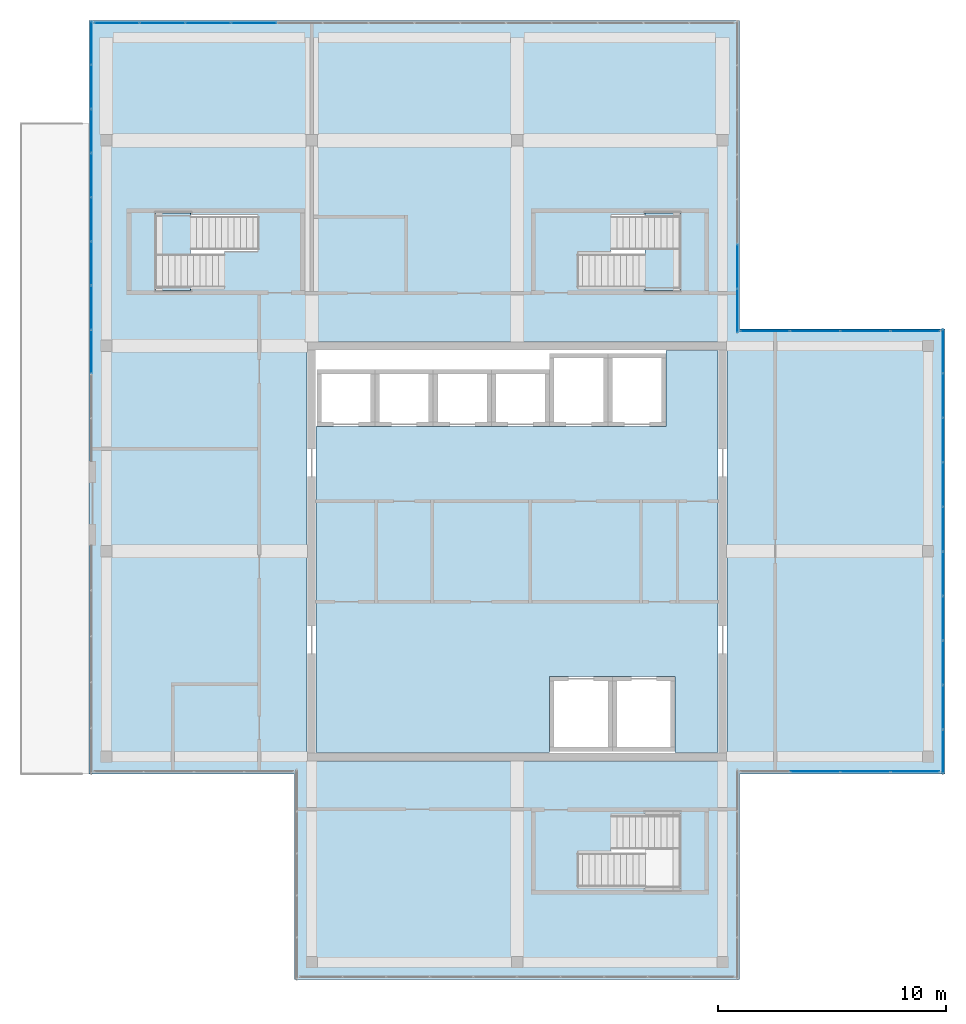
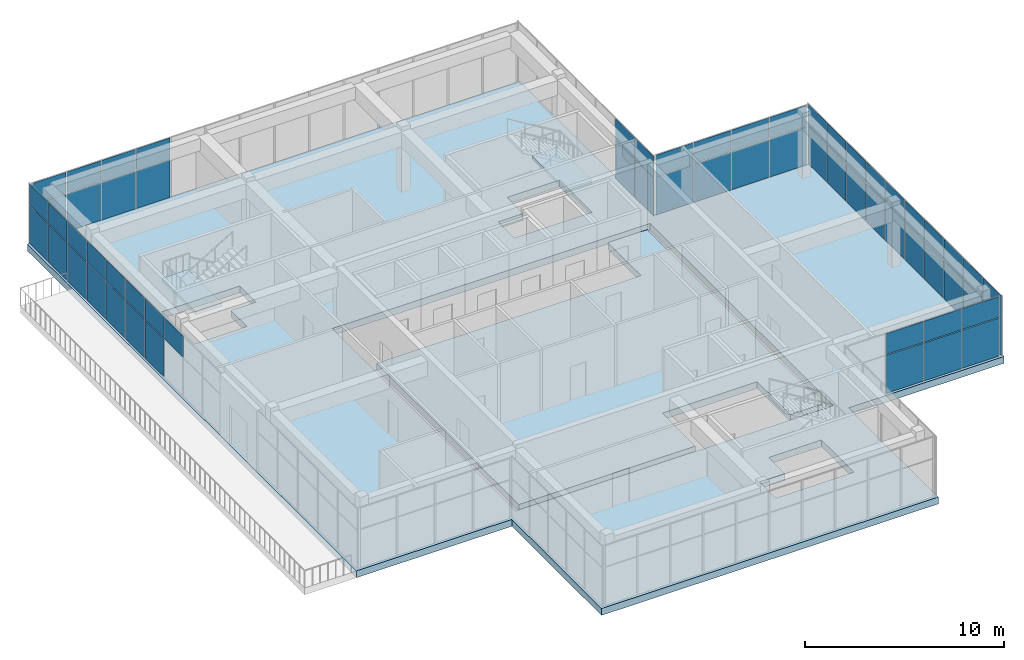
# One storey, part 29 of 34: 61 plates, 4 slabs, 8 elements without a shape of their own.
"""IFC4 building model written with IfcOpenShell, lengths in metres."""

from ifc_helpers import new_model, si_unit, direction, frame, origin, origin_2d, place, context, subcontext, project, spatial, polyline, rectangle, outline, extrude, material, layer, layer_set, type_object, element, aggregate, save


model = new_model("IFC4")

# Units and contexts
model_context = context("Model", 3, precision=1e-05, world=origin(), true_north=direction((0.0, 1.0)))
body_context = subcontext(model_context, "Body", "Model", "MODEL_VIEW")
ifc_project = project(units=[si_unit("LENGTHUNIT", "METRE"), si_unit("AREAUNIT", "SQUARE_METRE"), si_unit("VOLUMEUNIT", "CUBIC_METRE"), si_unit("PLANEANGLEUNIT", "RADIAN"), si_unit("MASSUNIT", "GRAM", prefix="KILO")], contexts=[model_context])

# Site, building, storey
site_placement = place(None, origin())
site = spatial("IfcSite", under=ifc_project, at=site_placement, CompositionType="ELEMENT")
building_placement = place(site_placement, origin())
building = spatial("IfcBuilding", under=site, at=building_placement, Name="Tuart Plaza Theatre", CompositionType="ELEMENT")
storey_placement = place(building_placement, frame((0.0, 0.0, 53.5)))
storey = spatial("IfcBuildingStorey", under=building, at=storey_placement, Name="L13", CompositionType="ELEMENT", Elevation=53.5)

# Curtain wall, plates
ifc_material_1 = material(Name="Aluminium and glass", Category="aluminium")
ifc_layer_1 = layer(ifc_material_1, 0.10009765625)
ifc_layer_set_1 = layer_set([ifc_layer_1], Name="CURTAIN WALL 2000 module")
curtain_wall_type = type_object("IfcCurtainWallType", Name="CURTAIN WALL 2000 module", PredefinedType="NOTDEFINED", material=ifc_layer_set_1)
curtain_wall_1_placement = place(storey_placement, origin())
curtain_wall_1 = element("IfcCurtainWall", 1, at=curtain_wall_1_placement, inside=storey, type_object=curtain_wall_type, Name="CW113", PredefinedType="NOTDEFINED")
ifc_material_2 = material(Name="Glass", Category="glass")
ifc_layer_2 = layer(ifc_material_2, 0.028076171875)
ifc_layer_set_2 = layer_set([ifc_layer_2], Name="CURTAIN PANEL double glazed 28")
plate_type = type_object("IfcPlateType", Name="CURTAIN PANEL double glazed 28", PredefinedType="CURTAIN_PANEL", material=ifc_layer_set_2)
plate_1_placement = place(storey_placement, frame((145.050048828125, 64.35009765625, 0.0498046875), z_axis=(0.0, 0.0, 1.0), x_axis=(1.0, 0.0, 0.0)))
plate_1 = element("IfcPlate", 2, at=plate_1_placement, type_object=plate_type, Name="CW113 panel 2.1", PredefinedType="CURTAIN_PANEL", context=body_context, shape_type="SweptSolid", body=[
    extrude(rectangle(XDim=2.14990234375, YDim=0.028076171875, at=origin_2d()), origin(), (0.0, 0.0, 1.0), 2.324951171875),
])
plate_2_placement = place(storey_placement, frame((145.050048828125, 64.35009765625, 2.425048828125), z_axis=(0.0, 0.0, 1.0), x_axis=(1.0, 0.0, 0.0)))
plate_2 = element("IfcPlate", 3, at=plate_2_placement, type_object=plate_type, Name="CW113 panel 2.2", PredefinedType="CURTAIN_PANEL", context=body_context, shape_type="SweptSolid", body=[
    extrude(rectangle(XDim=2.14990234375, YDim=0.028076171875, at=origin_2d()), origin(), (0.0, 0.0, 1.0), 1.27490234375),
])
plate_3_placement = place(storey_placement, frame((147.25, 64.35009765625, 0.0498046875), z_axis=(0.0, 0.0, 1.0), x_axis=(1.0, 0.0, 0.0)))
plate_3 = element("IfcPlate", 4, at=plate_3_placement, type_object=plate_type, Name="CW113 panel 3.1", PredefinedType="CURTAIN_PANEL", context=body_context, shape_type="SweptSolid", body=[
    extrude(rectangle(XDim=2.14990234375, YDim=0.028076171875, at=origin_2d()), origin(), (0.0, 0.0, 1.0), 2.324951171875),
])
plate_4_placement = place(storey_placement, frame((147.25, 64.35009765625, 2.425048828125), z_axis=(0.0, 0.0, 1.0), x_axis=(1.0, 0.0, 0.0)))
plate_4 = element("IfcPlate", 5, at=plate_4_placement, type_object=plate_type, Name="CW113 panel 3.2", PredefinedType="CURTAIN_PANEL", context=body_context, shape_type="SweptSolid", body=[
    extrude(rectangle(XDim=2.14990234375, YDim=0.028076171875, at=origin_2d()), origin(), (0.0, 0.0, 1.0), 1.27490234375),
])
plate_5_placement = place(storey_placement, frame((149.4375, 64.35009765625, 0.0498046875), z_axis=(0.0, 0.0, 1.0), x_axis=(1.0, 0.0, 0.0)))
plate_5 = element("IfcPlate", 6, at=plate_5_placement, type_object=plate_type, Name="CW113 panel 4.1", PredefinedType="CURTAIN_PANEL", context=body_context, shape_type="SweptSolid", body=[
    extrude(rectangle(XDim=2.125, YDim=0.028076171875, at=origin_2d()), origin(), (0.0, 0.0, 1.0), 2.324951171875),
])
plate_6_placement = place(storey_placement, frame((149.4375, 64.35009765625, 2.425048828125), z_axis=(0.0, 0.0, 1.0), x_axis=(1.0, 0.0, 0.0)))
plate_6 = element("IfcPlate", 7, at=plate_6_placement, type_object=plate_type, Name="CW113 panel 4.2", PredefinedType="CURTAIN_PANEL", context=body_context, shape_type="SweptSolid", body=[
    extrude(rectangle(XDim=2.125, YDim=0.028076171875, at=origin_2d()), origin(), (0.0, 0.0, 1.0), 1.27490234375),
])
aggregate(curtain_wall_1, [plate_1, plate_2, plate_3, plate_4, plate_5, plate_6])

curtain_wall_2_placement = place(storey_placement, origin())
curtain_wall_2 = element("IfcCurtainWall", 8, at=curtain_wall_2_placement, inside=storey, type_object=curtain_wall_type, Name="CW114", PredefinedType="NOTDEFINED")
plate_7_placement = place(storey_placement, frame((150.64990234375, 65.237548828125, 0.0498046875), z_axis=(0.0, 0.0, 1.0), x_axis=(0.0, 1.0, 0.0)))
plate_7 = element("IfcPlate", 9, at=plate_7_placement, type_object=plate_type, Name="CW114 panel 1.1", PredefinedType="CURTAIN_PANEL", context=body_context, shape_type="SweptSolid", body=[
    extrude(rectangle(XDim=1.875, YDim=0.028076171875, at=origin_2d()), origin(), (0.0, 0.0, 1.0), 2.324951171875),
])
plate_8_placement = place(storey_placement, frame((150.64990234375, 65.237548828125, 2.425048828125), z_axis=(0.0, 0.0, 1.0), x_axis=(0.0, 1.0, 0.0)))
plate_8 = element("IfcPlate", 10, at=plate_8_placement, type_object=plate_type, Name="CW114 panel 1.2", PredefinedType="CURTAIN_PANEL", context=body_context, shape_type="SweptSolid", body=[
    extrude(rectangle(XDim=1.875, YDim=0.028076171875, at=origin_2d()), origin(), (0.0, 0.0, 1.0), 1.27490234375),
])
plate_9_placement = place(storey_placement, frame((150.64990234375, 67.175048828125, 0.0498046875), z_axis=(0.0, 0.0, 1.0), x_axis=(0.0, 1.0, 0.0)))
plate_9 = element("IfcPlate", 11, at=plate_9_placement, type_object=plate_type, Name="CW114 panel 2.1", PredefinedType="CURTAIN_PANEL", context=body_context, shape_type="SweptSolid", body=[
    extrude(rectangle(XDim=1.89990234375, YDim=0.028076171875, at=origin_2d()), origin(), (0.0, 0.0, 1.0), 2.324951171875),
])
plate_10_placement = place(storey_placement, frame((150.64990234375, 67.175048828125, 2.425048828125), z_axis=(0.0, 0.0, 1.0), x_axis=(0.0, 1.0, 0.0)))
plate_10 = element("IfcPlate", 12, at=plate_10_placement, type_object=plate_type, Name="CW114 panel 2.2", PredefinedType="CURTAIN_PANEL", context=body_context, shape_type="SweptSolid", body=[
    extrude(rectangle(XDim=1.89990234375, YDim=0.028076171875, at=origin_2d()), origin(), (0.0, 0.0, 1.0), 1.27490234375),
])
plate_11_placement = place(storey_placement, frame((150.64990234375, 69.125, 0.0498046875), z_axis=(0.0, 0.0, 1.0), x_axis=(0.0, 1.0, 0.0)))
plate_11 = element("IfcPlate", 13, at=plate_11_placement, type_object=plate_type, Name="CW114 panel 3.1", PredefinedType="CURTAIN_PANEL", context=body_context, shape_type="SweptSolid", body=[
    extrude(rectangle(XDim=1.89990234375, YDim=0.028076171875, at=origin_2d()), origin(), (0.0, 0.0, 1.0), 2.324951171875),
])
plate_12_placement = place(storey_placement, frame((150.64990234375, 69.125, 2.425048828125), z_axis=(0.0, 0.0, 1.0), x_axis=(0.0, 1.0, 0.0)))
plate_12 = element("IfcPlate", 14, at=plate_12_placement, type_object=plate_type, Name="CW114 panel 3.2", PredefinedType="CURTAIN_PANEL", context=body_context, shape_type="SweptSolid", body=[
    extrude(rectangle(XDim=1.89990234375, YDim=0.028076171875, at=origin_2d()), origin(), (0.0, 0.0, 1.0), 1.27490234375),
])
plate_13_placement = place(storey_placement, frame((150.64990234375, 71.074951171875, 0.0498046875), z_axis=(0.0, 0.0, 1.0), x_axis=(0.0, 1.0, 0.0)))
plate_13 = element("IfcPlate", 15, at=plate_13_placement, type_object=plate_type, Name="CW114 panel 4.1", PredefinedType="CURTAIN_PANEL", context=body_context, shape_type="SweptSolid", body=[
    extrude(rectangle(XDim=1.89990234375, YDim=0.028076171875, at=origin_2d()), origin(), (0.0, 0.0, 1.0), 2.324951171875),
])
plate_14_placement = place(storey_placement, frame((150.64990234375, 71.074951171875, 2.425048828125), z_axis=(0.0, 0.0, 1.0), x_axis=(0.0, 1.0, 0.0)))
plate_14 = element("IfcPlate", 16, at=plate_14_placement, type_object=plate_type, Name="CW114 panel 4.2", PredefinedType="CURTAIN_PANEL", context=body_context, shape_type="SweptSolid", body=[
    extrude(rectangle(XDim=1.89990234375, YDim=0.028076171875, at=origin_2d()), origin(), (0.0, 0.0, 1.0), 1.27490234375),
])
plate_15_placement = place(storey_placement, frame((150.64990234375, 73.02490234375, 0.0498046875), z_axis=(0.0, 0.0, 1.0), x_axis=(0.0, 1.0, 0.0)))
plate_15 = element("IfcPlate", 17, at=plate_15_placement, type_object=plate_type, Name="CW114 panel 5.1", PredefinedType="CURTAIN_PANEL", context=body_context, shape_type="SweptSolid", body=[
    extrude(rectangle(XDim=1.89990234375, YDim=0.028076171875, at=origin_2d()), origin(), (0.0, 0.0, 1.0), 2.324951171875),
])
plate_16_placement = place(storey_placement, frame((150.64990234375, 73.02490234375, 2.425048828125), z_axis=(0.0, 0.0, 1.0), x_axis=(0.0, 1.0, 0.0)))
plate_16 = element("IfcPlate", 18, at=plate_16_placement, type_object=plate_type, Name="CW114 panel 5.2", PredefinedType="CURTAIN_PANEL", context=body_context, shape_type="SweptSolid", body=[
    extrude(rectangle(XDim=1.89990234375, YDim=0.028076171875, at=origin_2d()), origin(), (0.0, 0.0, 1.0), 1.27490234375),
])
plate_17_placement = place(storey_placement, frame((150.64990234375, 74.97509765625, 0.0498046875), z_axis=(0.0, 0.0, 1.0), x_axis=(0.0, 1.0, 0.0)))
plate_17 = element("IfcPlate", 19, at=plate_17_placement, type_object=plate_type, Name="CW114 panel 6.1", PredefinedType="CURTAIN_PANEL", context=body_context, shape_type="SweptSolid", body=[
    extrude(rectangle(XDim=1.89990234375, YDim=0.028076171875, at=origin_2d()), origin(), (0.0, 0.0, 1.0), 2.324951171875),
])
plate_18_placement = place(storey_placement, frame((150.64990234375, 74.97509765625, 2.425048828125), z_axis=(0.0, 0.0, 1.0), x_axis=(0.0, 1.0, 0.0)))
plate_18 = element("IfcPlate", 20, at=plate_18_placement, type_object=plate_type, Name="CW114 panel 6.2", PredefinedType="CURTAIN_PANEL", context=body_context, shape_type="SweptSolid", body=[
    extrude(rectangle(XDim=1.89990234375, YDim=0.028076171875, at=origin_2d()), origin(), (0.0, 0.0, 1.0), 1.27490234375),
])
plate_19_placement = place(storey_placement, frame((150.64990234375, 76.925048828125, 0.0498046875), z_axis=(0.0, 0.0, 1.0), x_axis=(0.0, 1.0, 0.0)))
plate_19 = element("IfcPlate", 21, at=plate_19_placement, type_object=plate_type, Name="CW114 panel 7.1", PredefinedType="CURTAIN_PANEL", context=body_context, shape_type="SweptSolid", body=[
    extrude(rectangle(XDim=1.89990234375, YDim=0.028076171875, at=origin_2d()), origin(), (0.0, 0.0, 1.0), 2.324951171875),
])
plate_20_placement = place(storey_placement, frame((150.64990234375, 76.925048828125, 2.425048828125), z_axis=(0.0, 0.0, 1.0), x_axis=(0.0, 1.0, 0.0)))
plate_20 = element("IfcPlate", 22, at=plate_20_placement, type_object=plate_type, Name="CW114 panel 7.2", PredefinedType="CURTAIN_PANEL", context=body_context, shape_type="SweptSolid", body=[
    extrude(rectangle(XDim=1.89990234375, YDim=0.028076171875, at=origin_2d()), origin(), (0.0, 0.0, 1.0), 1.27490234375),
])
plate_21_placement = place(storey_placement, frame((150.64990234375, 78.875, 0.0498046875), z_axis=(0.0, 0.0, 1.0), x_axis=(0.0, 1.0, 0.0)))
plate_21 = element("IfcPlate", 23, at=plate_21_placement, type_object=plate_type, Name="CW114 panel 8.1", PredefinedType="CURTAIN_PANEL", context=body_context, shape_type="SweptSolid", body=[
    extrude(rectangle(XDim=1.89990234375, YDim=0.028076171875, at=origin_2d()), origin(), (0.0, 0.0, 1.0), 2.324951171875),
])
plate_22_placement = place(storey_placement, frame((150.64990234375, 78.875, 2.425048828125), z_axis=(0.0, 0.0, 1.0), x_axis=(0.0, 1.0, 0.0)))
plate_22 = element("IfcPlate", 24, at=plate_22_placement, type_object=plate_type, Name="CW114 panel 8.2", PredefinedType="CURTAIN_PANEL", context=body_context, shape_type="SweptSolid", body=[
    extrude(rectangle(XDim=1.89990234375, YDim=0.028076171875, at=origin_2d()), origin(), (0.0, 0.0, 1.0), 1.27490234375),
])
plate_23_placement = place(storey_placement, frame((150.64990234375, 80.824951171875, 0.0498046875), z_axis=(0.0, 0.0, 1.0), x_axis=(0.0, 1.0, 0.0)))
plate_23 = element("IfcPlate", 25, at=plate_23_placement, type_object=plate_type, Name="CW114 panel 9.1", PredefinedType="CURTAIN_PANEL", context=body_context, shape_type="SweptSolid", body=[
    extrude(rectangle(XDim=1.89990234375, YDim=0.028076171875, at=origin_2d()), origin(), (0.0, 0.0, 1.0), 2.324951171875),
])
plate_24_placement = place(storey_placement, frame((150.64990234375, 80.824951171875, 2.425048828125), z_axis=(0.0, 0.0, 1.0), x_axis=(0.0, 1.0, 0.0)))
plate_24 = element("IfcPlate", 26, at=plate_24_placement, type_object=plate_type, Name="CW114 panel 9.2", PredefinedType="CURTAIN_PANEL", context=body_context, shape_type="SweptSolid", body=[
    extrude(rectangle(XDim=1.89990234375, YDim=0.028076171875, at=origin_2d()), origin(), (0.0, 0.0, 1.0), 1.27490234375),
])
plate_25_placement = place(storey_placement, frame((150.64990234375, 82.762451171875, 0.0498046875), z_axis=(0.0, 0.0, 1.0), x_axis=(0.0, 1.0, 0.0)))
plate_25 = element("IfcPlate", 27, at=plate_25_placement, type_object=plate_type, Name="CW114 panel 10.1", PredefinedType="CURTAIN_PANEL", context=body_context, shape_type="SweptSolid", body=[
    extrude(rectangle(XDim=1.875, YDim=0.028076171875, at=origin_2d()), origin(), (0.0, 0.0, 1.0), 2.324951171875),
])
plate_26_placement = place(storey_placement, frame((150.64990234375, 82.762451171875, 2.425048828125), z_axis=(0.0, 0.0, 1.0), x_axis=(0.0, 1.0, 0.0)))
plate_26 = element("IfcPlate", 28, at=plate_26_placement, type_object=plate_type, Name="CW114 panel 10.2", PredefinedType="CURTAIN_PANEL", context=body_context, shape_type="SweptSolid", body=[
    extrude(rectangle(XDim=1.875, YDim=0.028076171875, at=origin_2d()), origin(), (0.0, 0.0, 1.0), 1.27490234375),
])
aggregate(curtain_wall_2, [plate_7, plate_8, plate_9, plate_10, plate_11, plate_12, plate_13, plate_14, plate_15, plate_16, plate_17, plate_18, plate_19, plate_20, plate_21, plate_22, plate_23, plate_24, plate_25, plate_26])

curtain_wall_3_placement = place(storey_placement, origin())
curtain_wall_3 = element("IfcCurtainWall", 29, at=curtain_wall_3_placement, inside=storey, type_object=curtain_wall_type, Name="CW115", PredefinedType="NOTDEFINED")
plate_27_placement = place(storey_placement, frame((149.4375, 83.64990234375, 0.0498046875), z_axis=(0.0, 0.0, 1.0), x_axis=(-1.0, 0.0, 0.0)))
plate_27 = element("IfcPlate", 30, at=plate_27_placement, type_object=plate_type, Name="CW115 panel 1.1", PredefinedType="CURTAIN_PANEL", context=body_context, shape_type="SweptSolid", body=[
    extrude(rectangle(XDim=2.125, YDim=0.028076171875, at=origin_2d()), origin(), (0.0, 0.0, 1.0), 2.324951171875),
])
plate_28_placement = place(storey_placement, frame((149.4375, 83.64990234375, 2.425048828125), z_axis=(0.0, 0.0, 1.0), x_axis=(-1.0, 0.0, 0.0)))
plate_28 = element("IfcPlate", 31, at=plate_28_placement, type_object=plate_type, Name="CW115 panel 1.2", PredefinedType="CURTAIN_PANEL", context=body_context, shape_type="SweptSolid", body=[
    extrude(rectangle(XDim=2.125, YDim=0.028076171875, at=origin_2d()), origin(), (0.0, 0.0, 1.0), 1.27490234375),
])
plate_29_placement = place(storey_placement, frame((147.25, 83.64990234375, 0.0498046875), z_axis=(0.0, 0.0, 1.0), x_axis=(-1.0, 0.0, 0.0)))
plate_29 = element("IfcPlate", 32, at=plate_29_placement, type_object=plate_type, Name="CW115 panel 2.1", PredefinedType="CURTAIN_PANEL", context=body_context, shape_type="SweptSolid", body=[
    extrude(rectangle(XDim=2.14990234375, YDim=0.028076171875, at=origin_2d()), origin(), (0.0, 0.0, 1.0), 2.324951171875),
])
plate_30_placement = place(storey_placement, frame((147.25, 83.64990234375, 2.425048828125), z_axis=(0.0, 0.0, 1.0), x_axis=(-1.0, 0.0, 0.0)))
plate_30 = element("IfcPlate", 33, at=plate_30_placement, type_object=plate_type, Name="CW115 panel 2.2", PredefinedType="CURTAIN_PANEL", context=body_context, shape_type="SweptSolid", body=[
    extrude(rectangle(XDim=2.14990234375, YDim=0.028076171875, at=origin_2d()), origin(), (0.0, 0.0, 1.0), 1.27490234375),
])
plate_31_placement = place(storey_placement, frame((145.050048828125, 83.64990234375, 0.0498046875), z_axis=(0.0, 0.0, 1.0), x_axis=(-1.0, 0.0, 0.0)))
plate_31 = element("IfcPlate", 34, at=plate_31_placement, type_object=plate_type, Name="CW115 panel 3.1", PredefinedType="CURTAIN_PANEL", context=body_context, shape_type="SweptSolid", body=[
    extrude(rectangle(XDim=2.14990234375, YDim=0.028076171875, at=origin_2d()), origin(), (0.0, 0.0, 1.0), 2.324951171875),
])
plate_32_placement = place(storey_placement, frame((145.050048828125, 83.64990234375, 2.425048828125), z_axis=(0.0, 0.0, 1.0), x_axis=(-1.0, 0.0, 0.0)))
plate_32 = element("IfcPlate", 35, at=plate_32_placement, type_object=plate_type, Name="CW115 panel 3.2", PredefinedType="CURTAIN_PANEL", context=body_context, shape_type="SweptSolid", body=[
    extrude(rectangle(XDim=2.14990234375, YDim=0.028076171875, at=origin_2d()), origin(), (0.0, 0.0, 1.0), 1.27490234375),
])
plate_33_placement = place(storey_placement, frame((142.862548828125, 83.64990234375, 0.0498046875), z_axis=(0.0, 0.0, 1.0), x_axis=(-1.0, 0.0, 0.0)))
plate_33 = element("IfcPlate", 36, at=plate_33_placement, type_object=plate_type, Name="CW115 panel 4.1", PredefinedType="CURTAIN_PANEL", context=body_context, shape_type="SweptSolid", body=[
    extrude(rectangle(XDim=2.125, YDim=0.028076171875, at=origin_2d()), origin(), (0.0, 0.0, 1.0), 2.324951171875),
])
plate_34_placement = place(storey_placement, frame((142.862548828125, 83.64990234375, 2.425048828125), z_axis=(0.0, 0.0, 1.0), x_axis=(-1.0, 0.0, 0.0)))
plate_34 = element("IfcPlate", 37, at=plate_34_placement, type_object=plate_type, Name="CW115 panel 4.2", PredefinedType="CURTAIN_PANEL", context=body_context, shape_type="SweptSolid", body=[
    extrude(rectangle(XDim=2.125, YDim=0.028076171875, at=origin_2d()), origin(), (0.0, 0.0, 1.0), 1.27490234375),
])
aggregate(curtain_wall_3, [plate_27, plate_28, plate_29, plate_30, plate_31, plate_32, plate_33, plate_34])

curtain_wall_4_placement = place(storey_placement, origin())
curtain_wall_4 = element("IfcCurtainWall", 38, at=curtain_wall_4_placement, inside=storey, type_object=curtain_wall_type, Name="CW116", PredefinedType="NOTDEFINED")
plate_35_placement = place(storey_placement, frame((141.64990234375, 84.541015625, 0.0498046875), z_axis=(0.0, 0.0, 1.0), x_axis=(0.0, 1.0, 0.0)))
plate_35 = element("IfcPlate", 39, at=plate_35_placement, type_object=plate_type, Name="CW116 panel 1.1", PredefinedType="CURTAIN_PANEL", context=body_context, shape_type="SweptSolid", body=[
    extrude(rectangle(XDim=1.882080078125, YDim=0.028076171875, at=origin_2d()), origin(), (0.0, 0.0, 1.0), 2.324951171875),
])
plate_36_placement = place(storey_placement, frame((141.64990234375, 84.541015625, 2.425048828125), z_axis=(0.0, 0.0, 1.0), x_axis=(0.0, 1.0, 0.0)))
plate_36 = element("IfcPlate", 40, at=plate_36_placement, type_object=plate_type, Name="CW116 panel 1.2", PredefinedType="CURTAIN_PANEL", context=body_context, shape_type="SweptSolid", body=[
    extrude(rectangle(XDim=1.882080078125, YDim=0.028076171875, at=origin_2d()), origin(), (0.0, 0.0, 1.0), 1.27490234375),
])
plate_37_placement = place(storey_placement, frame((141.64990234375, 86.485595703125, 0.0498046875), z_axis=(0.0, 0.0, 1.0), x_axis=(0.0, 1.0, 0.0)))
plate_37 = element("IfcPlate", 41, at=plate_37_placement, type_object=plate_type, Name="CW116 panel 2.1", PredefinedType="CURTAIN_PANEL", context=body_context, shape_type="SweptSolid", body=[
    extrude(rectangle(XDim=1.9072265625, YDim=0.028076171875, at=origin_2d()), origin(), (0.0, 0.0, 1.0), 2.324951171875),
])
plate_38_placement = place(storey_placement, frame((141.64990234375, 86.485595703125, 2.425048828125), z_axis=(0.0, 0.0, 1.0), x_axis=(0.0, 1.0, 0.0)))
plate_38 = element("IfcPlate", 42, at=plate_38_placement, type_object=plate_type, Name="CW116 panel 2.2", PredefinedType="CURTAIN_PANEL", context=body_context, shape_type="SweptSolid", body=[
    extrude(rectangle(XDim=1.9072265625, YDim=0.028076171875, at=origin_2d()), origin(), (0.0, 0.0, 1.0), 1.27490234375),
])
aggregate(curtain_wall_4, [plate_35, plate_36, plate_37, plate_38])

curtain_wall_5_placement = place(storey_placement, origin())
curtain_wall_5 = element("IfcCurtainWall", 43, at=curtain_wall_5_placement, inside=storey, type_object=curtain_wall_type, Name="CW117", PredefinedType="NOTDEFINED")
plate_39_placement = place(storey_placement, frame((120.47509765625, 97.14990234375, 0.0498046875), z_axis=(0.0, 0.0, 1.0), x_axis=(-1.0, 0.0, 0.0)))
plate_39 = element("IfcPlate", 44, at=plate_39_placement, type_object=plate_type, Name="CW117 panel 11.1", PredefinedType="CURTAIN_PANEL", context=body_context, shape_type="SweptSolid", body=[
    extrude(rectangle(XDim=1.95703125, YDim=0.028076171875, at=origin_2d()), origin(), (0.0, 0.0, 1.0), 2.324951171875),
])
plate_40_placement = place(storey_placement, frame((120.47509765625, 97.14990234375, 2.425048828125), z_axis=(0.0, 0.0, 1.0), x_axis=(-1.0, 0.0, 0.0)))
plate_40 = element("IfcPlate", 45, at=plate_40_placement, type_object=plate_type, Name="CW117 panel 11.2", PredefinedType="CURTAIN_PANEL", context=body_context, shape_type="SweptSolid", body=[
    extrude(rectangle(XDim=1.95703125, YDim=0.028076171875, at=origin_2d()), origin(), (0.0, 0.0, 1.0), 1.27490234375),
])
plate_41_placement = place(storey_placement, frame((118.4677734375, 97.14990234375, 0.0498046875), z_axis=(0.0, 0.0, 1.0), x_axis=(-1.0, 0.0, 0.0)))
plate_41 = element("IfcPlate", 46, at=plate_41_placement, type_object=plate_type, Name="CW117 panel 12.1", PredefinedType="CURTAIN_PANEL", context=body_context, shape_type="SweptSolid", body=[
    extrude(rectangle(XDim=1.95703125, YDim=0.028076171875, at=origin_2d()), origin(), (0.0, 0.0, 1.0), 2.324951171875),
])
plate_42_placement = place(storey_placement, frame((118.4677734375, 97.14990234375, 2.425048828125), z_axis=(0.0, 0.0, 1.0), x_axis=(-1.0, 0.0, 0.0)))
plate_42 = element("IfcPlate", 47, at=plate_42_placement, type_object=plate_type, Name="CW117 panel 12.2", PredefinedType="CURTAIN_PANEL", context=body_context, shape_type="SweptSolid", body=[
    extrude(rectangle(XDim=1.95703125, YDim=0.028076171875, at=origin_2d()), origin(), (0.0, 0.0, 1.0), 1.27490234375),
])
plate_43_placement = place(storey_placement, frame((116.460693359375, 97.14990234375, 0.0498046875), z_axis=(0.0, 0.0, 1.0), x_axis=(-1.0, 0.0, 0.0)))
plate_43 = element("IfcPlate", 48, at=plate_43_placement, type_object=plate_type, Name="CW117 panel 13.1", PredefinedType="CURTAIN_PANEL", context=body_context, shape_type="SweptSolid", body=[
    extrude(rectangle(XDim=1.95703125, YDim=0.028076171875, at=origin_2d()), origin(), (0.0, 0.0, 1.0), 2.324951171875),
])
plate_44_placement = place(storey_placement, frame((116.460693359375, 97.14990234375, 2.425048828125), z_axis=(0.0, 0.0, 1.0), x_axis=(-1.0, 0.0, 0.0)))
plate_44 = element("IfcPlate", 49, at=plate_44_placement, type_object=plate_type, Name="CW117 panel 13.2", PredefinedType="CURTAIN_PANEL", context=body_context, shape_type="SweptSolid", body=[
    extrude(rectangle(XDim=1.95703125, YDim=0.028076171875, at=origin_2d()), origin(), (0.0, 0.0, 1.0), 1.27490234375),
])
plate_45_placement = place(storey_placement, frame((114.466064453125, 97.14990234375, 0.0498046875), z_axis=(0.0, 0.0, 1.0), x_axis=(-1.0, 0.0, 0.0)))
plate_45 = element("IfcPlate", 50, at=plate_45_placement, type_object=plate_type, Name="CW117 panel 14.1", PredefinedType="CURTAIN_PANEL", context=body_context, shape_type="SweptSolid", body=[
    extrude(rectangle(XDim=1.93212890625, YDim=0.028076171875, at=origin_2d()), origin(), (0.0, 0.0, 1.0), 2.324951171875),
])
plate_46_placement = place(storey_placement, frame((114.466064453125, 97.14990234375, 2.425048828125), z_axis=(0.0, 0.0, 1.0), x_axis=(-1.0, 0.0, 0.0)))
plate_46 = element("IfcPlate", 51, at=plate_46_placement, type_object=plate_type, Name="CW117 panel 14.2", PredefinedType="CURTAIN_PANEL", context=body_context, shape_type="SweptSolid", body=[
    extrude(rectangle(XDim=1.93212890625, YDim=0.028076171875, at=origin_2d()), origin(), (0.0, 0.0, 1.0), 1.27490234375),
])
aggregate(curtain_wall_5, [plate_39, plate_40, plate_41, plate_42, plate_43, plate_44, plate_45, plate_46])

curtain_wall_6_placement = place(storey_placement, origin())
curtain_wall_6 = element("IfcCurtainWall", 52, at=curtain_wall_6_placement, inside=storey, type_object=curtain_wall_type, Name="CW118", PredefinedType="NOTDEFINED")
plate_47_placement = place(storey_placement, frame((113.35009765625, 96.27001953125, 0.0498046875), z_axis=(0.0, 0.0, 1.0), x_axis=(0.0, -1.0, 0.0)))
plate_47 = element("IfcPlate", 53, at=plate_47_placement, type_object=plate_type, Name="CW118 panel 1.1", PredefinedType="CURTAIN_PANEL", context=body_context, shape_type="SweptSolid", body=[
    extrude(rectangle(XDim=1.860107421875, YDim=0.028076171875, at=origin_2d()), origin(), (0.0, 0.0, 1.0), 2.324951171875),
])
plate_48_placement = place(storey_placement, frame((113.35009765625, 96.27001953125, 2.425048828125), z_axis=(0.0, 0.0, 1.0), x_axis=(0.0, -1.0, 0.0)))
plate_48 = element("IfcPlate", 54, at=plate_48_placement, type_object=plate_type, Name="CW118 panel 1.2", PredefinedType="CURTAIN_PANEL", context=body_context, shape_type="SweptSolid", body=[
    extrude(rectangle(XDim=1.860107421875, YDim=0.028076171875, at=origin_2d()), origin(), (0.0, 0.0, 1.0), 1.27490234375),
])
plate_49_placement = place(storey_placement, frame((113.35009765625, 94.347412109375, 0.0498046875), z_axis=(0.0, 0.0, 1.0), x_axis=(0.0, -1.0, 0.0)))
plate_49 = element("IfcPlate", 55, at=plate_49_placement, type_object=plate_type, Name="CW118 panel 2.1", PredefinedType="CURTAIN_PANEL", context=body_context, shape_type="SweptSolid", body=[
    extrude(rectangle(XDim=1.885009765625, YDim=0.028076171875, at=origin_2d()), origin(), (0.0, 0.0, 1.0), 2.324951171875),
])
plate_50_placement = place(storey_placement, frame((113.35009765625, 94.347412109375, 2.425048828125), z_axis=(0.0, 0.0, 1.0), x_axis=(0.0, -1.0, 0.0)))
plate_50 = element("IfcPlate", 56, at=plate_50_placement, type_object=plate_type, Name="CW118 panel 2.2", PredefinedType="CURTAIN_PANEL", context=body_context, shape_type="SweptSolid", body=[
    extrude(rectangle(XDim=1.885009765625, YDim=0.028076171875, at=origin_2d()), origin(), (0.0, 0.0, 1.0), 1.27490234375),
])
plate_51_placement = place(storey_placement, frame((113.35009765625, 92.41259765625, 0.0498046875), z_axis=(0.0, 0.0, 1.0), x_axis=(0.0, -1.0, 0.0)))
plate_51 = element("IfcPlate", 57, at=plate_51_placement, type_object=plate_type, Name="CW118 panel 3.1", PredefinedType="CURTAIN_PANEL", context=body_context, shape_type="SweptSolid", body=[
    extrude(rectangle(XDim=1.885009765625, YDim=0.028076171875, at=origin_2d()), origin(), (0.0, 0.0, 1.0), 2.324951171875),
])
plate_52_placement = place(storey_placement, frame((113.35009765625, 92.41259765625, 2.425048828125), z_axis=(0.0, 0.0, 1.0), x_axis=(0.0, -1.0, 0.0)))
plate_52 = element("IfcPlate", 58, at=plate_52_placement, type_object=plate_type, Name="CW118 panel 3.2", PredefinedType="CURTAIN_PANEL", context=body_context, shape_type="SweptSolid", body=[
    extrude(rectangle(XDim=1.885009765625, YDim=0.028076171875, at=origin_2d()), origin(), (0.0, 0.0, 1.0), 1.27490234375),
])
plate_53_placement = place(storey_placement, frame((113.35009765625, 90.4775390625, 0.0498046875), z_axis=(0.0, 0.0, 1.0), x_axis=(0.0, -1.0, 0.0)))
plate_53 = element("IfcPlate", 59, at=plate_53_placement, type_object=plate_type, Name="CW118 panel 4.1", PredefinedType="CURTAIN_PANEL", context=body_context, shape_type="SweptSolid", body=[
    extrude(rectangle(XDim=1.885009765625, YDim=0.028076171875, at=origin_2d()), origin(), (0.0, 0.0, 1.0), 2.324951171875),
])
plate_54_placement = place(storey_placement, frame((113.35009765625, 90.4775390625, 2.425048828125), z_axis=(0.0, 0.0, 1.0), x_axis=(0.0, -1.0, 0.0)))
plate_54 = element("IfcPlate", 60, at=plate_54_placement, type_object=plate_type, Name="CW118 panel 4.2", PredefinedType="CURTAIN_PANEL", context=body_context, shape_type="SweptSolid", body=[
    extrude(rectangle(XDim=1.885009765625, YDim=0.028076171875, at=origin_2d()), origin(), (0.0, 0.0, 1.0), 1.27490234375),
])
plate_55_placement = place(storey_placement, frame((113.35009765625, 88.54248046875, 0.0498046875), z_axis=(0.0, 0.0, 1.0), x_axis=(0.0, -1.0, 0.0)))
plate_55 = element("IfcPlate", 61, at=plate_55_placement, type_object=plate_type, Name="CW118 panel 5.1", PredefinedType="CURTAIN_PANEL", context=body_context, shape_type="SweptSolid", body=[
    extrude(rectangle(XDim=1.885009765625, YDim=0.028076171875, at=origin_2d()), origin(), (0.0, 0.0, 1.0), 2.324951171875),
])
plate_56_placement = place(storey_placement, frame((113.35009765625, 88.54248046875, 2.425048828125), z_axis=(0.0, 0.0, 1.0), x_axis=(0.0, -1.0, 0.0)))
plate_56 = element("IfcPlate", 62, at=plate_56_placement, type_object=plate_type, Name="CW118 panel 5.2", PredefinedType="CURTAIN_PANEL", context=body_context, shape_type="SweptSolid", body=[
    extrude(rectangle(XDim=1.885009765625, YDim=0.028076171875, at=origin_2d()), origin(), (0.0, 0.0, 1.0), 1.27490234375),
])
plate_57_placement = place(storey_placement, frame((113.35009765625, 86.607421875, 0.0498046875), z_axis=(0.0, 0.0, 1.0), x_axis=(0.0, -1.0, 0.0)))
plate_57 = element("IfcPlate", 63, at=plate_57_placement, type_object=plate_type, Name="CW118 panel 6.1", PredefinedType="CURTAIN_PANEL", context=body_context, shape_type="SweptSolid", body=[
    extrude(rectangle(XDim=1.885009765625, YDim=0.028076171875, at=origin_2d()), origin(), (0.0, 0.0, 1.0), 2.324951171875),
])
plate_58_placement = place(storey_placement, frame((113.35009765625, 86.607421875, 2.425048828125), z_axis=(0.0, 0.0, 1.0), x_axis=(0.0, -1.0, 0.0)))
plate_58 = element("IfcPlate", 64, at=plate_58_placement, type_object=plate_type, Name="CW118 panel 6.2", PredefinedType="CURTAIN_PANEL", context=body_context, shape_type="SweptSolid", body=[
    extrude(rectangle(XDim=1.885009765625, YDim=0.028076171875, at=origin_2d()), origin(), (0.0, 0.0, 1.0), 1.27490234375),
])
plate_59_placement = place(storey_placement, frame((113.35009765625, 84.672607421875, 0.0498046875), z_axis=(0.0, 0.0, 1.0), x_axis=(0.0, -1.0, 0.0)))
plate_59 = element("IfcPlate", 65, at=plate_59_placement, type_object=plate_type, Name="CW118 panel 7.1", PredefinedType="CURTAIN_PANEL", context=body_context, shape_type="SweptSolid", body=[
    extrude(rectangle(XDim=1.885009765625, YDim=0.028076171875, at=origin_2d()), origin(), (0.0, 0.0, 1.0), 2.324951171875),
])
plate_60_placement = place(storey_placement, frame((113.35009765625, 84.672607421875, 2.425048828125), z_axis=(0.0, 0.0, 1.0), x_axis=(0.0, -1.0, 0.0)))
plate_60 = element("IfcPlate", 66, at=plate_60_placement, type_object=plate_type, Name="CW118 panel 7.2", PredefinedType="CURTAIN_PANEL", context=body_context, shape_type="SweptSolid", body=[
    extrude(rectangle(XDim=1.885009765625, YDim=0.028076171875, at=origin_2d()), origin(), (0.0, 0.0, 1.0), 1.27490234375),
])
plate_61_placement = place(storey_placement, frame((113.35009765625, 82.737548828125, 2.425048828125), z_axis=(0.0, 0.0, 1.0), x_axis=(0.0, -1.0, 0.0)))
plate_61 = element("IfcPlate", 67, at=plate_61_placement, type_object=plate_type, Name="CW118 panel 8.2", PredefinedType="CURTAIN_PANEL", context=body_context, shape_type="SweptSolid", body=[
    extrude(rectangle(XDim=1.885009765625, YDim=0.028076171875, at=origin_2d()), origin(), (0.0, 0.0, 1.0), 1.27490234375),
])
aggregate(curtain_wall_6, [plate_47, plate_48, plate_49, plate_50, plate_51, plate_52, plate_53, plate_54, plate_55, plate_56, plate_57, plate_58, plate_59, plate_60, plate_61])

# Slabs
ifc_material_3 = material(Name="Concrete N40 (40 MPa)", Category="concrete")
ifc_layer_3 = layer(ifc_material_3, 0.419921875)
ifc_layer_set_3 = layer_set([ifc_layer_3], Name="SLAB Floor 420 Concrete N40 (40 MPa)")
slab_type_1 = type_object("IfcSlabType", Name="SLAB Floor 420 Concrete N40 (40 MPa)", PredefinedType="FLOOR", material=ifc_layer_set_3)
slab_1_placement = place(storey_placement, frame((0.0, 0.0, -0.419921875)))
element("IfcSlab", 68, at=slab_1_placement, inside=storey, type_object=slab_type_1, Name="S100", PredefinedType="FLOOR", context=body_context, shape_type="SweptSolid", body=[
    extrude(outline(polyline([(141.75, 97.25), (113.25, 97.25), (113.25, 64.25), (122.25, 64.25), (122.25, 55.25), (141.75, 55.25), (141.75, 64.25), (150.75, 64.25), (150.75, 83.75), (141.75, 83.75), (141.75, 97.25)]), holes=[polyline([(141.199951171875, 64.800048828125), (141.199951171875, 83.199951171875), (122.800048828125, 83.199951171875), (122.800048828125, 64.800048828125), (141.199951171875, 64.800048828125)]), polyline([(136.114990234375, 62.5), (136.114990234375, 60.875), (134.655029296875, 60.875), (134.655029296875, 59.25), (139.169921875, 59.25), (139.169921875, 62.5), (136.114990234375, 62.5)]), polyline([(139.169921875, 88.75), (136.114990234375, 88.75), (136.114990234375, 87.125), (134.655029296875, 87.125), (134.655029296875, 85.5), (139.169921875, 85.5), (139.169921875, 88.75)]), polyline([(116.1298828125, 88.75), (116.1298828125, 85.5), (119.18505859375, 85.5), (119.18505859375, 87.125), (120.64501953125, 87.125), (120.64501953125, 88.75), (116.1298828125, 88.75)])]), origin(), (0.0, 0.0, 1.0), 0.419921875),
])
slab_2_placement = place(storey_placement, frame((0.0, 0.0, -0.419921875)))
element("IfcSlab", 69, at=slab_2_placement, inside=storey, type_object=slab_type_1, Name="S101", PredefinedType="FLOOR", context=body_context, shape_type="SweptSolid", body=[
    extrude(outline(polyline([(123.199951171875, 65.199951171875), (133.425048828125, 65.199951171875), (133.425048828125, 68.52490234375), (138.925048828125, 68.52490234375), (138.925048828125, 65.199951171875), (140.800048828125, 65.199951171875), (140.800048828125, 82.800048828125), (138.52490234375, 82.800048828125), (138.52490234375, 79.47509765625), (123.199951171875, 79.47509765625), (123.199951171875, 65.199951171875)])), origin(), (0.0, 0.0, 1.0), 0.419921875),
])

# Stair, slab
ifc_material_4 = material(Name="Concrete N40 (40 MPa)", Category="concrete")
stair_type = type_object("IfcStairType", Name="STAIR half turn 1500", PredefinedType="HALF_TURN_STAIR", material=ifc_material_4)
stair_1_placement = place(storey_placement, origin())
stair_1 = element("IfcStair", 70, at=stair_1_placement, inside=storey, type_object=stair_type, Name="SC-12", PredefinedType="HALF_TURN_STAIR")
ifc_material_5 = material(Name="Concrete N40 (40 MPa)", Category="concrete")
ifc_layer_4 = layer(ifc_material_5, 0.199951171875)
ifc_layer_set_4 = layer_set([ifc_layer_4], Name="STAIR LANDING 200")
slab_type_2 = type_object("IfcSlabType", Name="STAIR LANDING 200", PredefinedType="LANDING", material=ifc_layer_set_4)
slab_3_placement = place(storey_placement, frame((0.0, 0.0, 1.800048828125)))
slab_3 = element("IfcSlab", 71, at=slab_3_placement, type_object=slab_type_2, Name="SC-12 landing 1", PredefinedType="LANDING", context=body_context, shape_type="SweptSolid", body=[
    extrude(outline(polyline([(137.60009765625, 85.427001953125), (139.1298828125, 85.427001953125), (139.1298828125, 88.822998046875), (137.60009765625, 88.822998046875), (137.60009765625, 85.427001953125)])), origin(), (0.0, 0.0, 1.0), 0.199951171875),
])
aggregate(stair_1, [slab_3])

stair_2_placement = place(storey_placement, origin())
stair_2 = element("IfcStair", 72, at=stair_2_placement, inside=storey, type_object=stair_type, Name="SC-18", PredefinedType="HALF_TURN_STAIR")
slab_4_placement = place(storey_placement, frame((0.0, 0.0, 1.800048828125)))
slab_4 = element("IfcSlab", 73, at=slab_4_placement, type_object=slab_type_2, Name="SC-18 landing 1", PredefinedType="LANDING", context=body_context, shape_type="SweptSolid", body=[
    extrude(outline(polyline([(117.699951171875, 88.822998046875), (116.169921875, 88.822998046875), (116.169921875, 85.427001953125), (117.699951171875, 85.427001953125), (117.699951171875, 88.822998046875)])), origin(), (0.0, 0.0, 1.0), 0.199951171875),
])
aggregate(stair_2, [slab_4])

save(model, "model.ifc")
